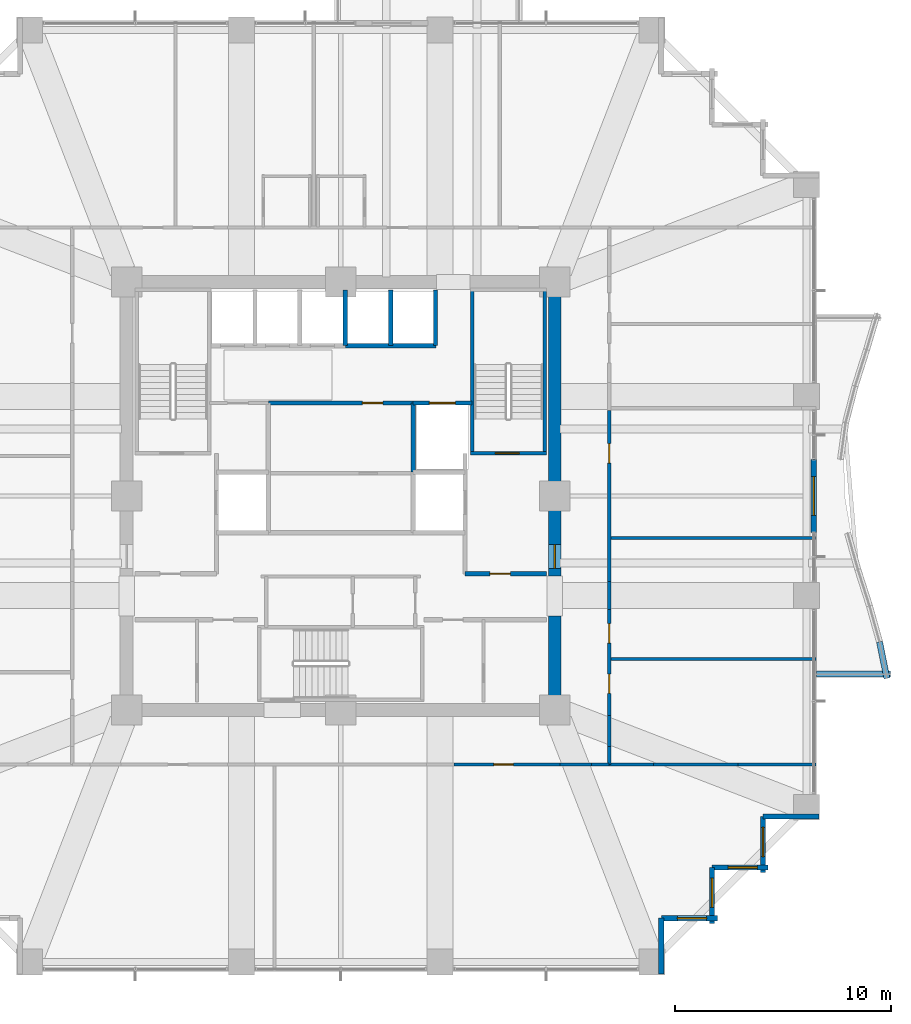
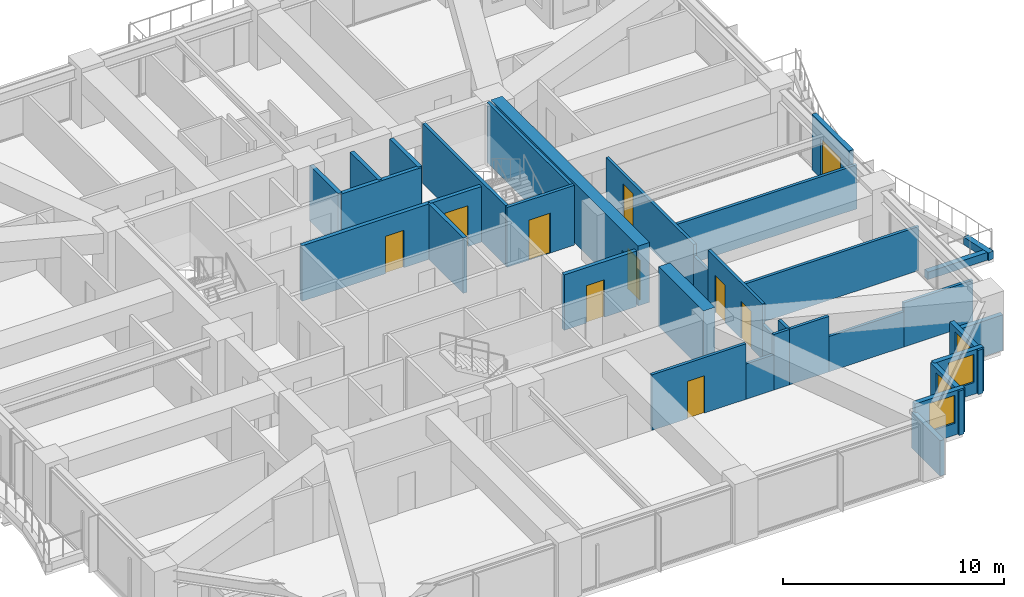
# One storey, part 34 of 39: 35 walls, 10 doors, 4 windows, 14 openings.
"""IFC4 building model written with IfcOpenShell, lengths in metres."""

from ifc_helpers import new_model, si_unit, direction, frame, frame_2d, origin, place, context, subcontext, project, spatial, rectangle, extrude, material, layer, layer_set, type_object, element, fill, save


model = new_model("IFC4")

# Units and contexts
model_context = context("Model", 3, precision=1e-05, world=origin(), true_north=direction((0.0, 1.0)))
body_context = subcontext(model_context, "Body", "Model", "MODEL_VIEW")
ifc_project = project(units=[si_unit("LENGTHUNIT", "METRE"), si_unit("AREAUNIT", "SQUARE_METRE"), si_unit("VOLUMEUNIT", "CUBIC_METRE"), si_unit("PLANEANGLEUNIT", "RADIAN"), si_unit("MASSUNIT", "GRAM", prefix="KILO")], contexts=[model_context])

# Site, building, storey
site_placement = place(None, origin())
site = spatial("IfcSite", under=ifc_project, at=site_placement, CompositionType="ELEMENT")
building_placement = place(site_placement, origin())
building = spatial("IfcBuilding", under=site, at=building_placement, Name="Kolvaren Belvedere", CompositionType="ELEMENT")
storey_placement = place(building_placement, frame((0.0, 0.0, 33.699951171875)))
storey = spatial("IfcBuildingStorey", under=building, at=storey_placement, Name="L09", CompositionType="ELEMENT", Elevation=33.699951171875)

# Wall
ifc_material_1 = material(Name="Concrete C60/75", Category="concrete")
ifc_layer_1 = layer(ifc_material_1, 0.60009765625)
ifc_layer_set_1 = layer_set([ifc_layer_1], Name="Concrete C60/75")
wall_type_1 = type_object("IfcWallType", Name="CW-CORE-600", PredefinedType="SHEAR", material=ifc_layer_set_1)
wall_1_placement = place(storey_placement, frame((9.89990234375, -9.60009765625, 0.0), z_axis=(0.0, 0.0, 1.0), x_axis=(0.0, 1.0, 0.0)))
element("IfcWall", 1, at=wall_1_placement, inside=storey, type_object=wall_type_1, Name="L09 East Core Shear Wall 1", PredefinedType="SHEAR", context=body_context, shape_type="SweptSolid", body=[
    extrude(rectangle(XDim=4.050048828125, YDim=0.60009765625, at=frame_2d((2.02490234375, 0.0))), origin(), (0.0, 0.0, 1.0), 3.300048828125),
])

# Wall, opening, door
wall_2_placement = place(storey_placement, frame((9.89990234375, -3.699951171875, 0.0), z_axis=(0.0, 0.0, 1.0), x_axis=(0.0, 1.0, 0.0)))
wall_2 = element("IfcWall", 2, at=wall_2_placement, inside=storey, type_object=wall_type_1, Name="L09 East Core Shear Wall 2", PredefinedType="SHEAR", context=body_context, shape_type="SweptSolid", body=[
    extrude(rectangle(XDim=13.300048828125, YDim=0.60009765625, at=frame_2d((6.64990234375, 0.0))), origin(), (0.0, 0.0, 1.0), 3.300048828125),
])
opening_1_placement = place(wall_2_placement, frame((0.35009765625, 0.0, 0.0)))
opening_1 = element("IfcOpeningElement", 3, at=opening_1_placement, cuts=wall_2, Name="Opening D-FD90", PredefinedType="OPENING", context=body_context, shape_type="SweptSolid", body=[
    extrude(rectangle(XDim=1.10009765625, YDim=2.199951171875, at=frame_2d((0.550048828125, 1.10009765625))), frame((0.0, 0.31005859375, 0.0), z_axis=(0.0, -1.0, 0.0), x_axis=(1.0, 0.0, 0.0)), (0.0, 0.0, 1.0), 0.6201171875),
])
ifc_material_2 = material(Name="Painted hollow stainless steel", Category="steel")
door_type_1 = type_object("IfcDoorType", Name="DR-FD90-1100", OperationType="NOTDEFINED", PredefinedType="DOOR", material=ifc_material_2)
door_1_placement = place(opening_1_placement, origin())
door_1 = element("IfcDoor", 4, at=door_1_placement, inside=storey, type_object=door_type_1, Name="L09 East Firefighting Lobby Fire Door", OperationType="SINGLE_SWING_RIGHT", OverallHeight=2.199951171875, OverallWidth=1.10009765625, PredefinedType="DOOR", context=body_context, shape_type="SweptSolid", body=[
    extrude(rectangle(XDim=1.10009765625, YDim=2.199951171875, at=frame_2d((0.550048828125, 1.10009765625))), frame((0.0, 0.02490234375, 0.0), z_axis=(0.0, -1.0, 0.0), x_axis=(1.0, 0.0, 0.0)), (0.0, 0.0, 1.0), 0.050048828125),
])
fill(opening_1, door_1)

ifc_material_3 = material(Name="Concrete C50/60", Category="concrete")
ifc_layer_2 = layer(ifc_material_3, 0.159912109375)
ifc_layer_set_2 = layer_set([ifc_layer_2], Name="Concrete C50/60")
wall_type_2 = type_object("IfcWallType", Name="CW-STAIR-160", PredefinedType="SHEAR", material=ifc_layer_set_2)
wall_3_placement = place(storey_placement, frame((6.0, 1.969970703125, 0.0), z_axis=(0.0, 0.0, 1.0), x_axis=(1.0, 0.0, 0.0)))
wall_3 = element("IfcWall", 5, at=wall_3_placement, inside=storey, type_object=wall_type_2, Name="L09 Stair ST-2 South Shear Wall", PredefinedType="SHEAR", context=body_context, shape_type="SweptSolid", body=[
    extrude(rectangle(XDim=3.52001953125, YDim=0.159912109375, at=frame_2d((1.760009765625, 0.0))), origin(), (0.0, 0.0, 1.0), 3.300048828125),
])
opening_2_placement = place(wall_3_placement, frame((1.14990234375, 0.0, 0.0)))
opening_2 = element("IfcOpeningElement", 6, at=opening_2_placement, cuts=wall_3, Name="Opening D-FD90", PredefinedType="OPENING", context=body_context, shape_type="SweptSolid", body=[
    extrude(rectangle(XDim=1.10009765625, YDim=2.199951171875, at=frame_2d((0.550048828125, 1.10009765625))), frame((0.0, 0.08984375, 0.0), z_axis=(0.0, -1.0, 0.0), x_axis=(1.0, 0.0, 0.0)), (0.0, 0.0, 1.0), 0.179931640625),
])
door_2_placement = place(opening_2_placement, origin())
door_2 = element("IfcDoor", 7, at=door_2_placement, inside=storey, type_object=door_type_1, Name="L09 Stair ST-2 Fire Door", OperationType="SINGLE_SWING_RIGHT", OverallHeight=2.199951171875, OverallWidth=1.10009765625, PredefinedType="DOOR", context=body_context, shape_type="SweptSolid", body=[
    extrude(rectangle(XDim=1.10009765625, YDim=2.199951171875, at=frame_2d((0.550048828125, 1.10009765625))), frame((0.0, 0.02490234375, 0.0), z_axis=(0.0, -1.0, 0.0), x_axis=(1.0, 0.0, 0.0)), (0.0, 0.0, 1.0), 0.050048828125),
])
fill(opening_2, door_2)

# Walls
for number, where, z_axis, x_axis, name in (
    (8, (6.080078125, 1.969970703125, 0.0), (0.0, 0.0, 1.0), (0.0, 1.0, 0.0), "L09 Stair ST-2 West Shear Wall"),
    (9, (9.429931640625, 1.969970703125, 0.0), (0.0, 0.0, 1.0), (0.0, 1.0, 0.0), "L09 Stair ST-2 East Shear Wall"),
):
    element("IfcWall", number, at=place(storey_placement, frame(where, z_axis=z_axis, x_axis=x_axis)), inside=storey, type_object=wall_type_2, Name=name, PredefinedType="SHEAR", context=body_context, shape_type="SweptSolid", body=[
        extrude(rectangle(XDim=7.56005859375, YDim=0.159912109375, at=frame_2d((3.780029296875, 0.0))), origin(), (0.0, 0.0, 1.0), 3.300048828125),
    ])

# Wall, opening, door
ifc_material_4 = material(Name="Gypsum fire-rated partition assembly", Category="gypsum")
ifc_layer_3 = layer(ifc_material_4, 0.14990234375)
ifc_layer_set_3 = layer_set([ifc_layer_3], Name="Gypsum fire-rated partition assembly")
wall_type_3 = type_object("IfcWallType", Name="WL-CORR-150", PredefinedType="PARTITIONING", material=ifc_layer_set_3)
wall_4_placement = place(storey_placement, frame((5.241943359375, -12.419921875, 0.0), z_axis=(0.0, 0.0, 1.0), x_axis=(1.0, 0.0, 0.0)))
wall_4 = element("IfcWall", 10, at=wall_4_placement, inside=storey, type_object=wall_type_3, Name="L09 South Corridor Wall", PredefinedType="PARTITIONING", context=body_context, shape_type="SweptSolid", body=[
    extrude(rectangle(XDim=4.911865234375, YDim=0.14990234375, at=frame_2d((2.4560546875, 0.0))), origin(), (0.0, 0.0, 1.0), 3.06005859375),
])
opening_3_placement = place(wall_4_placement, frame((1.843017578125, 0.0, 0.0)))
opening_3 = element("IfcOpeningElement", 11, at=opening_3_placement, cuts=wall_4, Name="Opening D-INT90", PredefinedType="OPENING", context=body_context, shape_type="SweptSolid", body=[
    extrude(rectangle(XDim=0.89990234375, YDim=2.06005859375, at=frame_2d((0.449951171875, 1.030029296875))), frame((0.0, 0.0849609375, 0.0), z_axis=(0.0, -1.0, 0.0), x_axis=(1.0, 0.0, 0.0)), (0.0, 0.0, 1.0), 0.169921875),
])
ifc_material_5 = material(Name="Stained Pacific white oak", Category="timber")
door_type_2 = type_object("IfcDoorType", Name="DR-INT-900", OperationType="NOTDEFINED", PredefinedType="DOOR", material=ifc_material_5)
door_3_placement = place(opening_3_placement, origin())
door_3 = element("IfcDoor", 12, at=door_3_placement, inside=storey, type_object=door_type_2, Name="L09 Lounge 902 Door", OperationType="SINGLE_SWING_RIGHT", OverallHeight=2.06005859375, OverallWidth=0.89990234375, PredefinedType="DOOR", context=body_context, shape_type="SweptSolid", body=[
    extrude(rectangle(XDim=0.89990234375, YDim=2.06005859375, at=frame_2d((0.449951171875, 1.030029296875))), frame((0.0, 0.02490234375, 0.0), z_axis=(0.0, -1.0, 0.0), x_axis=(1.0, 0.0, 0.0)), (0.0, 0.0, 1.0), 0.050048828125),
])
fill(opening_3, door_3)

# Walls
wall_5_placement = place(storey_placement, frame((10.15380859375, -12.419921875, 0.0), z_axis=(0.0, 0.0, 1.0), x_axis=(1.0, 0.0, 0.0)))
element("IfcWall", 13, at=wall_5_placement, inside=storey, type_object=wall_type_3, Name="L09 South Corridor Wall", PredefinedType="PARTITIONING", context=body_context, shape_type="SweptSolid", body=[
    extrude(rectangle(XDim=1.439208984375, YDim=0.14990234375, at=frame_2d((0.7197265625, 0.0))), origin(), (0.0, 0.0, 1.0), 1.945068359375),
])
for number, where, z_axis, x_axis, name in (
    (14, (11.593017578125, -12.419921875, 0.0), (0.0, 0.0, 1.0), (1.0, 0.0, 0.0), "L09 South Corridor Wall"),
    (15, (12.419921875, -12.419921875, 0.0), (0.0, 0.0, 1.0), (0.0, 1.0, 0.0), "L09 East Corridor Wall"),
):
    element("IfcWall", number, at=place(storey_placement, frame(where, z_axis=z_axis, x_axis=x_axis)), inside=storey, type_object=wall_type_3, Name=name, PredefinedType="PARTITIONING", context=body_context, shape_type="SweptSolid", body=[
        extrude(rectangle(XDim=0.826904296875, YDim=0.14990234375, at=frame_2d((0.41357421875, 0.0))), origin(), (0.0, 0.0, 1.0), 3.06005859375),
    ])
wall_6_placement = place(storey_placement, frame((12.419921875, -11.593017578125, 0.0), z_axis=(0.0, 0.0, 1.0), x_axis=(0.0, 1.0, 0.0)))
element("IfcWall", 16, at=wall_6_placement, inside=storey, type_object=wall_type_3, Name="L09 East Corridor Wall", PredefinedType="PARTITIONING", context=body_context, shape_type="SweptSolid", body=[
    extrude(rectangle(XDim=1.439208984375, YDim=0.14990234375, at=frame_2d((0.7197265625, 0.0))), origin(), (0.0, 0.0, 1.0), 1.945068359375),
])

# Wall, openings, doors
wall_7_placement = place(storey_placement, frame((12.419921875, -10.15380859375, 0.0), z_axis=(0.0, 0.0, 1.0), x_axis=(0.0, 1.0, 0.0)))
wall_7 = element("IfcWall", 17, at=wall_7_placement, inside=storey, type_object=wall_type_3, Name="L09 East Corridor Wall", PredefinedType="PARTITIONING", context=body_context, shape_type="SweptSolid", body=[
    extrude(rectangle(XDim=4.911865234375, YDim=0.14990234375, at=frame_2d((2.4560546875, 0.0))), origin(), (0.0, 0.0, 1.0), 3.06005859375),
])
opening_4_placement = place(wall_7_placement, frame((1.016845703125, 0.0, 0.0)))
opening_4 = element("IfcOpeningElement", 18, at=opening_4_placement, cuts=wall_7, Name="Opening D-INT90", PredefinedType="OPENING", context=body_context, shape_type="SweptSolid", body=[
    extrude(rectangle(XDim=0.89990234375, YDim=2.06005859375, at=frame_2d((0.449951171875, 1.030029296875))), frame((0.0, 0.0849609375, 0.0), z_axis=(0.0, -1.0, 0.0), x_axis=(1.0, 0.0, 0.0)), (0.0, 0.0, 1.0), 0.169921875),
])
opening_5_placement = place(wall_7_placement, frame((3.351806640625, 0.0, 0.0)))
opening_5 = element("IfcOpeningElement", 19, at=opening_5_placement, cuts=wall_7, Name="Opening D-INT90", PredefinedType="OPENING", context=body_context, shape_type="SweptSolid", body=[
    extrude(rectangle(XDim=0.89990234375, YDim=2.06005859375, at=frame_2d((0.449951171875, 1.030029296875))), frame((0.0, 0.0849609375, 0.0), z_axis=(0.0, -1.0, 0.0), x_axis=(1.0, 0.0, 0.0)), (0.0, 0.0, 1.0), 0.169921875),
])
door_4_placement = place(opening_4_placement, origin())
door_4 = element("IfcDoor", 20, at=door_4_placement, inside=storey, type_object=door_type_2, Name="L09 Guest Tea & Espresso Kitchen 903 Door", OperationType="SINGLE_SWING_LEFT", OverallHeight=2.06005859375, OverallWidth=0.89990234375, PredefinedType="DOOR", context=body_context, shape_type="SweptSolid", body=[
    extrude(rectangle(XDim=0.89990234375, YDim=2.06005859375, at=frame_2d((0.449951171875, 1.030029296875))), frame((0.0, 0.02490234375, 0.0), z_axis=(0.0, -1.0, 0.0), x_axis=(1.0, 0.0, 0.0)), (0.0, 0.0, 1.0), 0.050048828125),
])
fill(opening_4, door_4)
door_5_placement = place(opening_5_placement, origin())
door_5 = element("IfcDoor", 21, at=door_5_placement, inside=storey, type_object=door_type_2, Name="L09 Private Hospitality Meeting Room 904 Door", OperationType="SINGLE_SWING_RIGHT", OverallHeight=2.06005859375, OverallWidth=0.89990234375, PredefinedType="DOOR", context=body_context, shape_type="SweptSolid", body=[
    extrude(rectangle(XDim=0.89990234375, YDim=2.06005859375, at=frame_2d((0.449951171875, 1.030029296875))), frame((0.0, 0.02490234375, 0.0), z_axis=(0.0, -1.0, 0.0), x_axis=(1.0, 0.0, 0.0)), (0.0, 0.0, 1.0), 0.050048828125),
])
fill(opening_5, door_5)

# Wall
wall_8_placement = place(storey_placement, frame((12.419921875, -5.241943359375, 0.0), z_axis=(0.0, 0.0, 1.0), x_axis=(0.0, 1.0, 0.0)))
element("IfcWall", 22, at=wall_8_placement, inside=storey, type_object=wall_type_3, Name="L09 East Corridor Wall", PredefinedType="PARTITIONING", context=body_context, shape_type="SweptSolid", body=[
    extrude(rectangle(XDim=1.283935546875, YDim=0.14990234375, at=frame_2d((0.64208984375, 0.0))), origin(), (0.0, 0.0, 1.0), 1.945068359375),
])

# Wall, opening, door
wall_9_placement = place(storey_placement, frame((12.419921875, -3.9580078125, 0.0), z_axis=(0.0, 0.0, 1.0), x_axis=(0.0, 1.0, 0.0)))
wall_9 = element("IfcWall", 23, at=wall_9_placement, inside=storey, type_object=wall_type_3, Name="L09 East Corridor Wall", PredefinedType="PARTITIONING", context=body_context, shape_type="SweptSolid", body=[
    extrude(rectangle(XDim=7.916015625, YDim=0.14990234375, at=frame_2d((3.9580078125, 0.0))), origin(), (0.0, 0.0, 1.0), 2.5849609375),
])
opening_6_placement = place(wall_9_placement, frame((5.478515625, 0.0, 0.0)))
opening_6 = element("IfcOpeningElement", 24, at=opening_6_placement, cuts=wall_9, Name="Opening D-INT90", PredefinedType="OPENING", context=body_context, shape_type="SweptSolid", body=[
    extrude(rectangle(XDim=0.89990234375, YDim=2.06005859375, at=frame_2d((0.449951171875, 1.030029296875))), frame((0.0, 0.0849609375, 0.0), z_axis=(0.0, -1.0, 0.0), x_axis=(1.0, 0.0, 0.0)), (0.0, 0.0, 1.0), 0.169921875),
])
door_6_placement = place(opening_6_placement, origin())
door_6 = element("IfcDoor", 25, at=door_6_placement, inside=storey, type_object=door_type_2, Name="L09 Botanical Reading Salon 905 Door", OperationType="SINGLE_SWING_LEFT", OverallHeight=2.06005859375, OverallWidth=0.89990234375, PredefinedType="DOOR", context=body_context, shape_type="SweptSolid", body=[
    extrude(rectangle(XDim=0.89990234375, YDim=2.06005859375, at=frame_2d((0.449951171875, 1.030029296875))), frame((0.0, 0.02490234375, 0.0), z_axis=(0.0, -1.0, 0.0), x_axis=(1.0, 0.0, 0.0)), (0.0, 0.0, 1.0), 0.050048828125),
])
fill(opening_6, door_6)

# Wall
ifc_material_6 = material(Name="Insulated pale-metal facade wall assembly", Category="aluminium")
ifc_layer_4 = layer(ifc_material_6, 0.239990234375)
ifc_layer_set_4 = layer_set([ifc_layer_4], Name="Insulated pale-metal facade wall assembly")
wall_type_4 = type_object("IfcWallType", Name="WL-EXT-240", PredefinedType="STANDARD", material=ifc_layer_set_4)
wall_10_placement = place(storey_placement, frame((14.830078125, -19.530029296875, 0.0), z_axis=(0.0, 0.0, 1.0), x_axis=(0.0, -1.0, 0.0)))
element("IfcWall", 26, at=wall_10_placement, inside=storey, type_object=wall_type_4, Name="L09 Serrated Corner Facade Wall 2", PredefinedType="STANDARD", context=body_context, shape_type="SweptSolid", body=[
    extrude(rectangle(XDim=2.590087890625, YDim=0.239990234375, at=frame_2d((1.294921875, 0.0))), origin(), (0.0, 0.0, 1.0), 1.955078125),
])

# Wall, opening, window
wall_11_placement = place(storey_placement, frame((17.419921875, -19.530029296875, 0.0), z_axis=(0.0, 0.0, 1.0), x_axis=(-1.0, 0.0, 0.0)))
wall_11 = element("IfcWall", 27, at=wall_11_placement, inside=storey, type_object=wall_type_4, Name="L09 Serrated Corner Facade Wall 3", PredefinedType="STANDARD", context=body_context, shape_type="SweptSolid", body=[
    extrude(rectangle(XDim=2.58984375, YDim=0.239990234375, at=frame_2d((1.294921875, 0.0))), origin(), (0.0, 0.0, 1.0), 2.43896484375),
])
opening_7_placement = place(wall_11_placement, frame((0.5, 0.0, 0.64990234375)))
opening_7 = element("IfcOpeningElement", 28, at=opening_7_placement, cuts=wall_11, Name="Opening W-1350", PredefinedType="OPENING", context=body_context, shape_type="SweptSolid", body=[
    extrude(rectangle(XDim=1.35009765625, YDim=1.550048828125, at=frame_2d((0.675048828125, 0.77490234375))), frame((0.0, 0.1298828125, 0.0), z_axis=(0.0, -1.0, 0.0), x_axis=(1.0, 0.0, 0.0)), (0.0, 0.0, 1.0), 0.260009765625),
])
ifc_material_7 = material(Name="Low-iron triple insulated glass", Category="glass")
window_type = type_object("IfcWindowType", Name="WN-CORN-1350", PartitioningType="SINGLE_PANEL", PredefinedType="WINDOW", material=ifc_material_7)
window_1_placement = place(opening_7_placement, origin())
window_1 = element("IfcWindow", 29, at=window_1_placement, inside=storey, type_object=window_type, Name="L09 Serrated Corner Vision Window 3", OverallHeight=1.550048828125, OverallWidth=1.35009765625, PartitioningType="SINGLE_PANEL", PredefinedType="WINDOW", context=body_context, shape_type="SweptSolid", body=[
    extrude(rectangle(XDim=1.35009765625, YDim=1.550048828125, at=frame_2d((0.675048828125, 0.77490234375))), frame((0.0, 0.030029296875, 0.0), z_axis=(0.0, -1.0, 0.0), x_axis=(1.0, 0.0, 0.0)), (0.0, 0.0, 1.0), 0.06005859375),
])
fill(opening_7, window_1)

wall_12_placement = place(storey_placement, frame((17.179931640625, -17.179931640625, 0.0), z_axis=(0.0, 0.0, 1.0), x_axis=(0.0, -1.0, 0.0)))
wall_12 = element("IfcWall", 30, at=wall_12_placement, inside=storey, type_object=wall_type_4, Name="L09 Serrated Corner Facade Wall 4", PredefinedType="STANDARD", context=body_context, shape_type="SweptSolid", body=[
    extrude(rectangle(XDim=2.590087890625, YDim=0.239990234375, at=frame_2d((1.294921875, 0.0))), origin(), (0.0, 0.0, 1.0), 2.43896484375),
])
opening_8_placement = place(wall_12_placement, frame((0.5, 0.0, 0.64990234375)))
opening_8 = element("IfcOpeningElement", 31, at=opening_8_placement, cuts=wall_12, Name="Opening W-1350", PredefinedType="OPENING", context=body_context, shape_type="SweptSolid", body=[
    extrude(rectangle(XDim=1.35009765625, YDim=1.550048828125, at=frame_2d((0.675048828125, 0.77490234375))), frame((0.0, 0.1298828125, 0.0), z_axis=(0.0, -1.0, 0.0), x_axis=(1.0, 0.0, 0.0)), (0.0, 0.0, 1.0), 0.260009765625),
])
window_2_placement = place(opening_8_placement, origin())
window_2 = element("IfcWindow", 32, at=window_2_placement, inside=storey, type_object=window_type, Name="L09 Serrated Corner Vision Window 4", OverallHeight=1.550048828125, OverallWidth=1.35009765625, PartitioningType="SINGLE_PANEL", PredefinedType="WINDOW", context=body_context, shape_type="SweptSolid", body=[
    extrude(rectangle(XDim=1.35009765625, YDim=1.550048828125, at=frame_2d((0.675048828125, 0.77490234375))), frame((0.0, 0.030029296875, 0.0), z_axis=(0.0, -1.0, 0.0), x_axis=(1.0, 0.0, 0.0)), (0.0, 0.0, 1.0), 0.06005859375),
])
fill(opening_8, window_2)

wall_13_placement = place(storey_placement, frame((19.77001953125, -17.179931640625, 0.0), z_axis=(0.0, 0.0, 1.0), x_axis=(-1.0, 0.0, 0.0)))
wall_13 = element("IfcWall", 33, at=wall_13_placement, inside=storey, type_object=wall_type_4, Name="L09 Serrated Corner Facade Wall 5", PredefinedType="STANDARD", context=body_context, shape_type="SweptSolid", body=[
    extrude(rectangle(XDim=2.590087890625, YDim=0.239990234375, at=frame_2d((1.294921875, 0.0))), origin(), (0.0, 0.0, 1.0), 2.43896484375),
])
opening_9_placement = place(wall_13_placement, frame((0.5, 0.0, 0.64990234375)))
opening_9 = element("IfcOpeningElement", 34, at=opening_9_placement, cuts=wall_13, Name="Opening W-1350", PredefinedType="OPENING", context=body_context, shape_type="SweptSolid", body=[
    extrude(rectangle(XDim=1.35009765625, YDim=1.550048828125, at=frame_2d((0.675048828125, 0.77490234375))), frame((0.0, 0.1298828125, 0.0), z_axis=(0.0, -1.0, 0.0), x_axis=(1.0, 0.0, 0.0)), (0.0, 0.0, 1.0), 0.260009765625),
])
window_3_placement = place(opening_9_placement, origin())
window_3 = element("IfcWindow", 35, at=window_3_placement, inside=storey, type_object=window_type, Name="L09 Serrated Corner Vision Window 5", OverallHeight=1.550048828125, OverallWidth=1.35009765625, PartitioningType="SINGLE_PANEL", PredefinedType="WINDOW", context=body_context, shape_type="SweptSolid", body=[
    extrude(rectangle(XDim=1.35009765625, YDim=1.550048828125, at=frame_2d((0.675048828125, 0.77490234375))), frame((0.0, 0.030029296875, 0.0), z_axis=(0.0, -1.0, 0.0), x_axis=(1.0, 0.0, 0.0)), (0.0, 0.0, 1.0), 0.06005859375),
])
fill(opening_9, window_3)

wall_14_placement = place(storey_placement, frame((19.530029296875, -14.830078125, 0.0), z_axis=(0.0, 0.0, 1.0), x_axis=(0.0, -1.0, 0.0)))
wall_14 = element("IfcWall", 36, at=wall_14_placement, inside=storey, type_object=wall_type_4, Name="L09 Serrated Corner Facade Wall 6", PredefinedType="STANDARD", context=body_context, shape_type="SweptSolid", body=[
    extrude(rectangle(XDim=2.58984375, YDim=0.239990234375, at=frame_2d((1.294921875, 0.0))), origin(), (0.0, 0.0, 1.0), 2.43896484375),
])
opening_10_placement = place(wall_14_placement, frame((0.5, 0.0, 0.64990234375)))
opening_10 = element("IfcOpeningElement", 37, at=opening_10_placement, cuts=wall_14, Name="Opening W-1350", PredefinedType="OPENING", context=body_context, shape_type="SweptSolid", body=[
    extrude(rectangle(XDim=1.35009765625, YDim=1.550048828125, at=frame_2d((0.675048828125, 0.77490234375))), frame((0.0, 0.1298828125, 0.0), z_axis=(0.0, -1.0, 0.0), x_axis=(1.0, 0.0, 0.0)), (0.0, 0.0, 1.0), 0.260009765625),
])
window_4_placement = place(opening_10_placement, origin())
window_4 = element("IfcWindow", 38, at=window_4_placement, inside=storey, type_object=window_type, Name="L09 Serrated Corner Vision Window 6", OverallHeight=1.550048828125, OverallWidth=1.35009765625, PartitioningType="SINGLE_PANEL", PredefinedType="WINDOW", context=body_context, shape_type="SweptSolid", body=[
    extrude(rectangle(XDim=1.35009765625, YDim=1.550048828125, at=frame_2d((0.675048828125, 0.77490234375))), frame((0.0, 0.030029296875, 0.0), z_axis=(0.0, -1.0, 0.0), x_axis=(1.0, 0.0, 0.0)), (0.0, 0.0, 1.0), 0.06005859375),
])
fill(opening_10, window_4)

# Wall
wall_15_placement = place(storey_placement, frame((22.1201171875, -14.830078125, 0.0), z_axis=(0.0, 0.0, 1.0), x_axis=(-1.0, 0.0, 0.0)))
element("IfcWall", 39, at=wall_15_placement, inside=storey, type_object=wall_type_4, Name="L09 Serrated Corner Facade Wall 7", PredefinedType="STANDARD", context=body_context, shape_type="SweptSolid", body=[
    extrude(rectangle(XDim=2.590087890625, YDim=0.239990234375, at=frame_2d((1.294921875, 0.0))), origin(), (0.0, 0.0, 1.0), 1.955078125),
])

# Wall, opening, door
wall_16_placement = place(storey_placement, frame((21.8798828125, 1.679931640625, 0.0), z_axis=(0.0, 0.0, 1.0), x_axis=(0.0, -1.0, 0.0)))
wall_16 = element("IfcWall", 40, at=wall_16_placement, inside=storey, type_object=wall_type_4, Name="L09 East Terrace Portal Wall", PredefinedType="STANDARD", context=body_context, shape_type="SweptSolid", body=[
    extrude(rectangle(XDim=3.35986328125, YDim=0.239990234375, at=frame_2d((1.679931640625, 0.0))), origin(), (0.0, 0.0, 1.0), 3.06005859375),
])
opening_11_placement = place(wall_16_placement, frame((0.780029296875, 0.0, 0.0)))
opening_11 = element("IfcOpeningElement", 41, at=opening_11_placement, cuts=wall_16, Name="Opening DB-1800", PredefinedType="OPENING", context=body_context, shape_type="SweptSolid", body=[
    extrude(rectangle(XDim=1.800048828125, YDim=2.199951171875, at=frame_2d((0.89990234375, 1.10009765625))), frame((0.0, 0.1298828125, 0.0), z_axis=(0.0, -1.0, 0.0), x_axis=(1.0, 0.0, 0.0)), (0.0, 0.0, 1.0), 0.260009765625),
])
ifc_material_8 = material(Name="Thermally broken pale-metal aluminium & low-iron glass", Category="aluminium")
door_type_3 = type_object("IfcDoorType", Name="DR-BAL-1800", OperationType="DOUBLE_DOOR_SLIDING", PredefinedType="DOOR", material=ifc_material_8)
door_7_placement = place(opening_11_placement, origin())
door_7 = element("IfcDoor", 42, at=door_7_placement, inside=storey, type_object=door_type_3, Name="L09 East Planted Terrace Sliding Door", OperationType="DOUBLE_DOOR_SLIDING", OverallHeight=2.199951171875, OverallWidth=1.800048828125, PredefinedType="DOOR", context=body_context, shape_type="SweptSolid", body=[
    extrude(rectangle(XDim=1.800048828125, YDim=2.199951171875, at=frame_2d((0.89990234375, 1.10009765625))), frame((0.0, 0.02490234375, 0.0), z_axis=(0.0, -1.0, 0.0), x_axis=(1.0, 0.0, 0.0)), (0.0, 0.0, 1.0), 0.050048828125),
])
fill(opening_11, door_7)

# Walls
ifc_material_9 = material(Name="Gypsum acoustic partition assembly", Category="gypsum")
ifc_layer_5 = layer(ifc_material_9, 0.14990234375)
ifc_layer_set_5 = layer_set([ifc_layer_5], Name="Gypsum acoustic partition assembly")
wall_type_5 = type_object("IfcWallType", Name="WL-PART-150", PredefinedType="PARTITIONING", material=ifc_layer_set_5)
wall_17_placement = place(storey_placement, frame((12.419921875, -12.419921875, 0.0), z_axis=(0.0, 0.0, 1.0), x_axis=(1.0, 0.0, 0.0)))
element("IfcWall", 43, at=wall_17_placement, inside=storey, type_object=wall_type_5, Name="L09 Wing Divider PW-L09-QSE", PredefinedType="PARTITIONING", context=body_context, shape_type="SweptSolid", body=[
    extrude(rectangle(XDim=2.05029296875, YDim=0.14990234375, at=frame_2d((1.025146484375, 0.0))), origin(), (0.0, 0.0, 1.0), 3.06005859375),
])
wall_18_placement = place(storey_placement, frame((14.47021484375, -12.419921875, 0.0), z_axis=(0.0, 0.0, 1.0), x_axis=(1.0, 0.0, 0.0)))
element("IfcWall", 44, at=wall_18_placement, inside=storey, type_object=wall_type_5, Name="L09 Wing Divider PW-L09-QSE", PredefinedType="PARTITIONING", context=body_context, shape_type="SweptSolid", body=[
    extrude(rectangle(XDim=3.907470703125, YDim=0.14990234375, at=frame_2d((1.95361328125, 0.0))), origin(), (0.0, 0.0, 1.0), 1.945068359375),
])
wall_19_placement = place(storey_placement, frame((18.377685546875, -12.419921875, 0.0), z_axis=(0.0, 0.0, 1.0), x_axis=(1.0, 0.0, 0.0)))
element("IfcWall", 45, at=wall_19_placement, inside=storey, type_object=wall_type_5, Name="L09 Wing Divider PW-L09-QSE", PredefinedType="PARTITIONING", context=body_context, shape_type="SweptSolid", body=[
    extrude(rectangle(XDim=3.602294921875, YDim=0.14990234375, at=frame_2d((1.80126953125, 0.0))), origin(), (0.0, 0.0, 1.0), 2.428955078125),
])
for number, where, z_axis, x_axis, name in (
    (46, (12.419921875, -7.5400390625, 0.0), (0.0, 0.0, 1.0), (1.0, 0.0, 0.0), "L09 East Suite Demising Wall 1"),
    (47, (12.419921875, -1.93994140625, 0.0), (0.0, 0.0, 1.0), (1.0, 0.0, 0.0), "L09 East Suite Demising Wall 2"),
):
    element("IfcWall", number, at=place(storey_placement, frame(where, z_axis=z_axis, x_axis=x_axis)), inside=storey, type_object=wall_type_5, Name=name, PredefinedType="PARTITIONING", context=body_context, shape_type="SweptSolid", body=[
        extrude(rectangle(XDim=9.56005859375, YDim=0.14990234375, at=frame_2d((4.780029296875, 0.0))), origin(), (0.0, 0.0, 1.0), 2.428955078125),
    ])
ifc_material_10 = material(Name="Precast concrete C40/50", Category="concrete")
ifc_layer_6 = layer(ifc_material_10, 0.300048828125)
ifc_layer_set_6 = layer_set([ifc_layer_6], Name="Precast concrete C40/50")
wall_type_6 = type_object("IfcWallType", Name="WL-PLANTER-300", PredefinedType="PARAPET", material=ifc_layer_set_6)
wall_20_placement = place(storey_placement, frame((25.26318359375, -8.431884765625, -0.06005859375), z_axis=(0.0, 0.0, 1.0), x_axis=(-0.198662427795, 0.980067977123, 0.0)))
element("IfcWall", 48, at=wall_20_placement, inside=storey, type_object=wall_type_6, Name="L09 Precast Structural Planter Wall BAL-E-1", PredefinedType="PARAPET", context=body_context, shape_type="SweptSolid", body=[
    extrude(rectangle(XDim=1.71435546875, YDim=0.280029296875, at=frame_2d((0.857177734375, 0.0))), origin(), (0.0, 0.0, 1.0), 0.420166015625),
])
wall_21_placement = place(storey_placement, frame((22.0, -8.239990234375, -0.06005859375), z_axis=(0.0, 0.0, 1.0), x_axis=(1.0, 0.0, 0.0)))
element("IfcWall", 49, at=wall_21_placement, inside=storey, type_object=wall_type_6, Name="L09 Precast Structural Planter Wall BAL-E-22", PredefinedType="PARAPET", context=body_context, shape_type="SweptSolid", body=[
    extrude(rectangle(XDim=3.419921875, YDim=0.280029296875, at=frame_2d((1.7099609375, 0.0))), origin(), (0.0, 0.0, 1.0), 0.420166015625),
])

# Wall, opening, door
ifc_material_11 = material(Name="Concrete C50/60", Category="concrete")
ifc_layer_7 = layer(ifc_material_11, 0.199951171875)
ifc_layer_set_7 = layer_set([ifc_layer_7], Name="Concrete C50/60")
wall_type_7 = type_object("IfcWallType", Name="WL-SHAFT-200", PredefinedType="SOLIDWALL", material=ifc_layer_set_7)
wall_22_placement = place(storey_placement, frame((5.75, -3.60009765625, 0.0), z_axis=(0.0, 0.0, 1.0), x_axis=(1.0, 0.0, 0.0)))
wall_22 = element("IfcWall", 50, at=wall_22_placement, inside=storey, type_object=wall_type_7, Name="L09 East FSAE Lobby South Wall", PredefinedType="SOLIDWALL", context=body_context, shape_type="SweptSolid", body=[
    extrude(rectangle(XDim=3.77001953125, YDim=0.199951171875, at=frame_2d((1.885009765625, 0.0))), origin(), (0.0, 0.0, 1.0), 3.06005859375),
])
opening_12_placement = place(wall_22_placement, frame((1.14990234375, 0.0, 0.0)))
opening_12 = element("IfcOpeningElement", 51, at=opening_12_placement, cuts=wall_22, Name="Opening D-FD60", PredefinedType="OPENING", context=body_context, shape_type="SweptSolid", body=[
    extrude(rectangle(XDim=0.949951171875, YDim=2.06005859375, at=frame_2d((0.47509765625, 1.030029296875))), frame((0.0, 0.10986328125, 0.0), z_axis=(0.0, -1.0, 0.0), x_axis=(1.0, 0.0, 0.0)), (0.0, 0.0, 1.0), 0.219970703125),
])
ifc_material_12 = material(Name="Acoustic white-oak fire door leaf", Category="timber")
door_type_4 = type_object("IfcDoorType", Name="DR-FD60-950", OperationType="NOTDEFINED", PredefinedType="DOOR", material=ifc_material_12)
door_8_placement = place(opening_12_placement, origin())
door_8 = element("IfcDoor", 52, at=door_8_placement, inside=storey, type_object=door_type_4, Name="L09 SE Lift Lobby Fire Door", OperationType="SINGLE_SWING_RIGHT", OverallHeight=2.06005859375, OverallWidth=0.949951171875, PredefinedType="DOOR", context=body_context, shape_type="SweptSolid", body=[
    extrude(rectangle(XDim=0.949951171875, YDim=2.06005859375, at=frame_2d((0.47509765625, 1.030029296875))), frame((0.0, 0.02490234375, 0.0), z_axis=(0.0, -1.0, 0.0), x_axis=(1.0, 0.0, 0.0)), (0.0, 0.0, 1.0), 0.050048828125),
])
fill(opening_12, door_8)

wall_23_placement = place(storey_placement, frame((3.35009765625, 4.300048828125, 0.0), z_axis=(0.0, 0.0, 1.0), x_axis=(1.0, 0.0, 0.0)))
wall_23 = element("IfcWall", 53, at=wall_23_placement, inside=storey, type_object=wall_type_7, Name="L09 Service Lift SV1 Front Wall", PredefinedType="SOLIDWALL", context=body_context, shape_type="SweptSolid", body=[
    extrude(rectangle(XDim=2.72998046875, YDim=0.199951171875, at=frame_2d((1.364990234375, 0.0))), origin(), (0.0, 0.0, 1.0), 3.06005859375),
])
opening_13_placement = place(wall_23_placement, frame((0.75, 0.0, 0.0)))
opening_13 = element("IfcOpeningElement", 54, at=opening_13_placement, cuts=wall_23, Name="Opening LD-12", PredefinedType="OPENING", context=body_context, shape_type="SweptSolid", body=[
    extrude(rectangle(XDim=1.199951171875, YDim=2.25, at=frame_2d((0.60009765625, 1.125))), frame((0.0, 0.10986328125, 0.0), z_axis=(0.0, -1.0, 0.0), x_axis=(1.0, 0.0, 0.0)), (0.0, 0.0, 1.0), 0.219970703125),
])
ifc_material_13 = material(Name="Brushed stainless steel", Category="steel")
door_type_5 = type_object("IfcDoorType", Name="DR-LIFT-1200", OperationType="DOUBLE_DOOR_SLIDING", PredefinedType="DOOR", material=ifc_material_13)
door_9_placement = place(opening_13_placement, origin())
door_9 = element("IfcDoor", 55, at=door_9_placement, inside=storey, type_object=door_type_5, Name="L09 Service Lift SV1 Landing Door", OperationType="DOUBLE_DOOR_SLIDING", OverallHeight=2.25, OverallWidth=1.199951171875, PredefinedType="DOOR", context=body_context, shape_type="SweptSolid", body=[
    extrude(rectangle(XDim=1.199951171875, YDim=2.25, at=frame_2d((0.60009765625, 1.125))), frame((0.0, 0.02490234375, 0.0), z_axis=(0.0, -1.0, 0.0), x_axis=(1.0, 0.0, 0.0)), (0.0, 0.0, 1.0), 0.050048828125),
])
fill(opening_13, door_9)

# Walls
wall_24_placement = place(storey_placement, frame((0.2099609375, 6.949951171875, 0.0), z_axis=(0.0, 0.0, 1.0), x_axis=(0.0, 1.0, 0.0)))
element("IfcWall", 56, at=wall_24_placement, inside=storey, type_object=wall_type_7, Name="L09 Low-Rise Hoistway Divider 3", PredefinedType="SOLIDWALL", context=body_context, shape_type="SweptSolid", body=[
    extrude(rectangle(XDim=2.570068359375, YDim=0.199951171875, at=frame_2d((1.28515625, 0.0))), origin(), (0.0, 0.0, 1.0), 3.06005859375),
])
wall_25_placement = place(storey_placement, frame((0.219970703125, 6.949951171875, 0.0), z_axis=(0.0, 0.0, 1.0), x_axis=(1.0, 0.0, 0.0)))
element("IfcWall", 57, at=wall_25_placement, inside=storey, type_object=wall_type_7, Name="L09 Express Shuttle Hoistway Wall", PredefinedType="SOLIDWALL", context=body_context, shape_type="SweptSolid", body=[
    extrude(rectangle(XDim=4.179931640625, YDim=0.199951171875, at=frame_2d((2.08984375, 0.0))), origin(), (0.0, 0.0, 1.0), 3.06005859375),
])
for number, where, z_axis, x_axis, name in (
    (58, (4.3798828125, 6.949951171875, 0.0), (0.0, 0.0, 1.0), (0.0, 1.0, 0.0), "L09 Express Shuttle East Wall"),
    (59, (2.31005859375, 6.949951171875, 0.0), (0.0, 0.0, 1.0), (0.0, 1.0, 0.0), "L09 Express Shuttle Divider"),
):
    element("IfcWall", number, at=place(storey_placement, frame(where, z_axis=z_axis, x_axis=x_axis)), inside=storey, type_object=wall_type_7, Name=name, PredefinedType="SOLIDWALL", context=body_context, shape_type="SweptSolid", body=[
        extrude(rectangle(XDim=2.570068359375, YDim=0.199951171875, at=frame_2d((1.28515625, 0.0))), origin(), (0.0, 0.0, 1.0), 3.06005859375),
    ])

# Wall, opening, door
wall_26_placement = place(storey_placement, frame((-3.35009765625, 4.300048828125, 0.0), z_axis=(0.0, 0.0, 1.0), x_axis=(1.0, 0.0, 0.0)))
wall_26 = element("IfcWall", 60, at=wall_26_placement, inside=storey, type_object=wall_type_7, Name="L09 Central Core Room North Wall", PredefinedType="SOLIDWALL", context=body_context, shape_type="SweptSolid", body=[
    extrude(rectangle(XDim=6.7001953125, YDim=0.199951171875, at=frame_2d((3.35009765625, 0.0))), origin(), (0.0, 0.0, 1.0), 3.06005859375),
])
opening_14_placement = place(wall_26_placement, frame((4.35009765625, 0.0, 0.0)))
opening_14 = element("IfcOpeningElement", 61, at=opening_14_placement, cuts=wall_26, Name="Opening D-FD60", PredefinedType="OPENING", context=body_context, shape_type="SweptSolid", body=[
    extrude(rectangle(XDim=0.949951171875, YDim=2.06005859375, at=frame_2d((0.47509765625, 1.030029296875))), frame((0.0, 0.10986328125, 0.0), z_axis=(0.0, -1.0, 0.0), x_axis=(1.0, 0.0, 0.0)), (0.0, 0.0, 1.0), 0.219970703125),
])
door_10_placement = place(opening_14_placement, origin())
door_10 = element("IfcDoor", 62, at=door_10_placement, inside=storey, type_object=door_type_4, Name="L09 Central Core Controls Door", OperationType="SINGLE_SWING_LEFT", OverallHeight=2.06005859375, OverallWidth=0.949951171875, PredefinedType="DOOR", context=body_context, shape_type="SweptSolid", body=[
    extrude(rectangle(XDim=0.949951171875, YDim=2.06005859375, at=frame_2d((0.47509765625, 1.030029296875))), frame((0.0, 0.02490234375, 0.0), z_axis=(0.0, -1.0, 0.0), x_axis=(1.0, 0.0, 0.0)), (0.0, 0.0, 1.0), 0.050048828125),
])
fill(opening_14, door_10)

# Wall
wall_27_placement = place(storey_placement, frame((3.35009765625, 1.10009765625, 0.0), z_axis=(0.0, 0.0, 1.0), x_axis=(0.0, 1.0, 0.0)))
element("IfcWall", 63, at=wall_27_placement, inside=storey, type_object=wall_type_7, Name="L09 Central Core Room East Wall", PredefinedType="SOLIDWALL", context=body_context, shape_type="SweptSolid", body=[
    extrude(rectangle(XDim=3.199951171875, YDim=0.199951171875, at=frame_2d((1.60009765625, 0.0))), origin(), (0.0, 0.0, 1.0), 3.06005859375),
])

save(model, "model.ifc")
